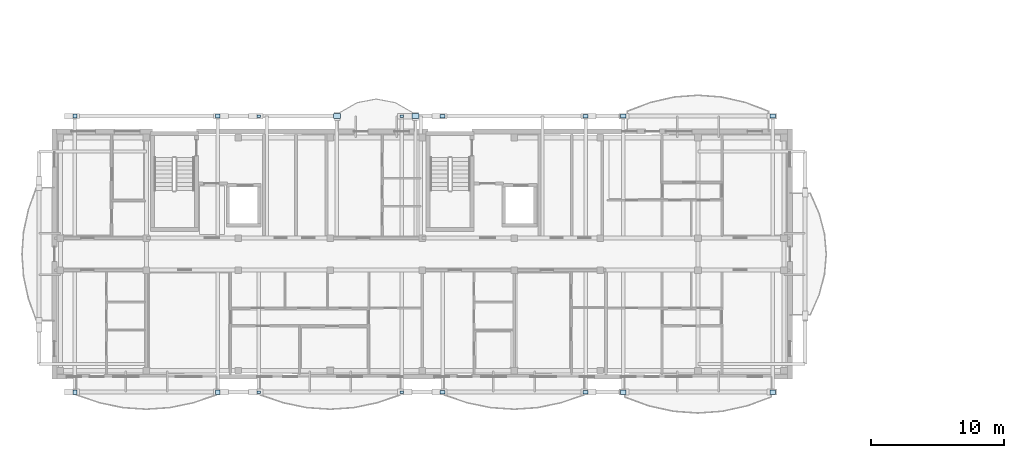
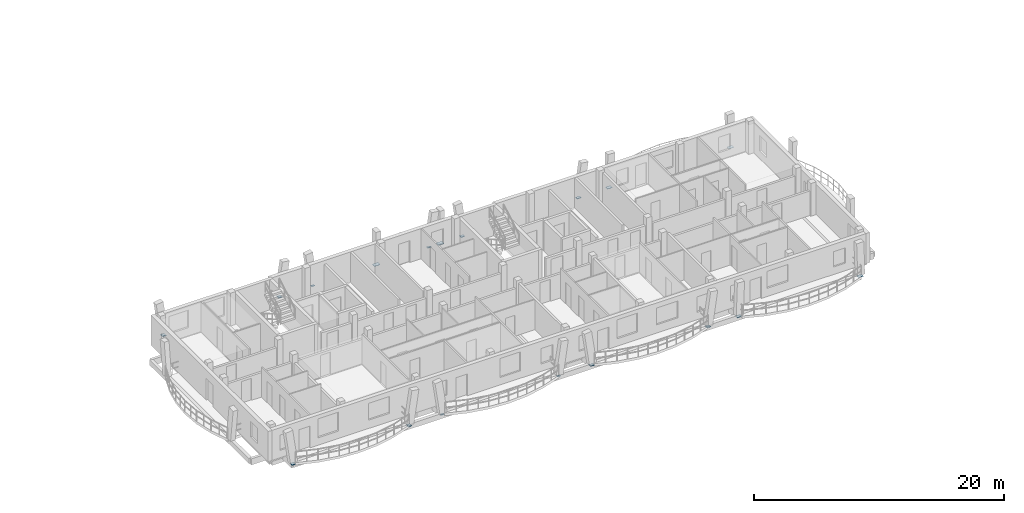
# One storey, part 11 of 52: 18 plates.
"""IFC4 building model written with IfcOpenShell, lengths in metres."""

from ifc_helpers import new_model, si_unit, direction, frame, origin, origin_2d, place, context, subcontext, project, spatial, rectangle, extrude, material, layer, layer_set, type_object, element, save


model = new_model("IFC4")

# Units and contexts
model_context = context("Model", 3, precision=1e-05, world=origin(), true_north=direction((0.0, 1.0)))
body_context = subcontext(model_context, "Body", "Model", "MODEL_VIEW")
ifc_project = project(units=[si_unit("LENGTHUNIT", "METRE"), si_unit("AREAUNIT", "SQUARE_METRE"), si_unit("VOLUMEUNIT", "CUBIC_METRE"), si_unit("PLANEANGLEUNIT", "RADIAN"), si_unit("MASSUNIT", "GRAM", prefix="KILO")], contexts=[model_context])

# Site, building, storey
site_placement = place(None, origin())
site = spatial("IfcSite", under=ifc_project, at=site_placement, CompositionType="ELEMENT")
building_placement = place(site_placement, origin())
building = spatial("IfcBuilding", under=site, at=building_placement, Name="Zavelmont Quarter", CompositionType="ELEMENT")
storey_placement = place(building_placement, frame((0.0, 0.0, 14.39990234375)))
storey = spatial("IfcBuildingStorey", under=building, at=storey_placement, Name="L04", CompositionType="ELEMENT", Elevation=14.39990234375)

# Plates
ifc_material = material(Name="Steel S355", Category="steel")
ifc_layer_1 = layer(ifc_material, 0.02001953125)
ifc_layer_set_1 = layer_set([ifc_layer_1], Name="Steel S355")
plate_type_1 = type_object("IfcPlateType", Name="NP01", PredefinedType="SHEET", material=ifc_layer_set_1)
for number, where, z_axis, x_axis, name in (
    (1, (15.334716796875, -1.162109375, -0.2099609375), (0.0, 0.0, 1.0), (1.0, 0.0, 0.0), "L04 steel connection plate NP01 at 3/A"),
    (2, (26.065185546875, -1.162109375, -0.2099609375), (0.0, 0.0, 1.0), (1.0, 0.0, 0.0), "L04 steel connection plate NP01 at 5/A"),
    (3, (15.334716796875, 19.56201171875, -0.2099609375), (0.0, 0.0, 1.0), (1.0, 0.0, 0.0), "L04 steel connection plate NP01 at 3/D"),
    (4, (26.065185546875, 19.56201171875, -0.2099609375), (0.0, 0.0, 1.0), (1.0, 0.0, 0.0), "L04 steel connection plate NP01 at 5/D"),
):
    element("IfcPlate", number, at=place(storey_placement, frame(where, z_axis=z_axis, x_axis=x_axis)), inside=storey, type_object=plate_type_1, Name=name, PredefinedType="SHEET", context=body_context, shape_type="SweptSolid", body=[
        extrude(rectangle(XDim=0.280029296875, YDim=0.179931640625, at=origin_2d()), origin(), (0.0, 0.0, 1.0), 0.02001953125),
    ])
ifc_layer_2 = layer(ifc_material, 0.02392578125)
ifc_layer_set_2 = layer_set([ifc_layer_2], Name="Steel S355")
plate_type_2 = type_object("IfcPlateType", Name="NP02", PredefinedType="SHEET", material=ifc_layer_set_2)
for number, where, z_axis, x_axis, name in (
    (5, (29.134765625, -1.162109375, -0.2119140625), (0.0, 0.0, 1.0), (1.0, 0.0, 0.0), "L04 steel connection plate NP02 at 5/A"),
    (6, (39.865234375, -1.162109375, -0.2119140625), (0.0, 0.0, 1.0), (1.0, 0.0, 0.0), "L04 steel connection plate NP02 at 7/A"),
    (7, (29.134765625, 19.56201171875, -0.2119140625), (0.0, 0.0, 1.0), (1.0, 0.0, 0.0), "L04 steel connection plate NP02 at 5/D"),
    (8, (39.865234375, 19.56201171875, -0.2119140625), (0.0, 0.0, 1.0), (1.0, 0.0, 0.0), "L04 steel connection plate NP02 at 7/D"),
):
    element("IfcPlate", number, at=place(storey_placement, frame(where, z_axis=z_axis, x_axis=x_axis)), inside=storey, type_object=plate_type_2, Name=name, PredefinedType="SHEET", context=body_context, shape_type="SweptSolid", body=[
        extrude(rectangle(XDim=0.360107421875, YDim=0.260009765625, at=origin_2d()), origin(), (0.0, 0.0, 1.0), 0.02392578125),
    ])
ifc_layer_3 = layer(ifc_material, 0.02490234375)
ifc_layer_set_3 = layer_set([ifc_layer_3], Name="Steel S355")
plate_type_3 = type_object("IfcPlateType", Name="NP03", PredefinedType="SHEET", material=ifc_layer_set_3)
for number, where, z_axis, x_axis, name in (
    (9, (42.69091796875, -1.162109375, -0.21240234375), (0.0, 0.0, 1.0), (1.0, 0.0, 0.0), "L04 steel connection plate NP03 at 7/A"),
    (10, (53.908935546875, -1.162109375, -0.21240234375), (0.0, 0.0, 1.0), (1.0, 0.0, 0.0), "L04 steel connection plate NP03 at 9/A"),
    (11, (42.69091796875, 19.56201171875, -0.21240234375), (0.0, 0.0, 1.0), (1.0, 0.0, 0.0), "L04 steel connection plate NP03 at 7/D"),
    (12, (53.908935546875, 19.56201171875, -0.21240234375), (0.0, 0.0, 1.0), (1.0, 0.0, 0.0), "L04 steel connection plate NP03 at 9/D"),
):
    element("IfcPlate", number, at=place(storey_placement, frame(where, z_axis=z_axis, x_axis=x_axis)), inside=storey, type_object=plate_type_3, Name=name, PredefinedType="SHEET", context=body_context, shape_type="SweptSolid", body=[
        extrude(rectangle(XDim=0.43994140625, YDim=0.320068359375, at=origin_2d()), origin(), (0.0, 0.0, 1.0), 0.02490234375),
    ])
ifc_layer_4 = layer(ifc_material, 0.028076171875)
ifc_layer_set_4 = layer_set([ifc_layer_4], Name="Steel S355")
plate_type_4 = type_object("IfcPlateType", Name="NP04", PredefinedType="SHEET", material=ifc_layer_set_4)
for number, where, z_axis, x_axis, name in (
    (13, (21.199951171875, 19.56201171875, -0.2138671875), (0.0, 0.0, 1.0), (1.0, 0.0, 0.0), "L04 steel connection plate NP04 at 4/D"),
    (14, (27.10009765625, 19.56201171875, -0.2138671875), (0.0, 0.0, 1.0), (1.0, 0.0, 0.0), "L04 steel connection plate NP04 at 5/D"),
):
    element("IfcPlate", number, at=place(storey_placement, frame(where, z_axis=z_axis, x_axis=x_axis)), inside=storey, type_object=plate_type_4, Name=name, PredefinedType="SHEET", context=body_context, shape_type="SweptSolid", body=[
        extrude(rectangle(XDim=0.52001953125, YDim=0.360107421875, at=origin_2d()), origin(), (0.0, 0.0, 1.0), 0.028076171875),
    ])
ifc_layer_5 = layer(ifc_material, 0.02197265625)
ifc_layer_set_5 = layer_set([ifc_layer_5], Name="Steel S355")
plate_type_5 = type_object("IfcPlateType", Name="NP06", PredefinedType="SHEET", material=ifc_layer_set_5)
for number, where, z_axis, x_axis, name in (
    (15, (1.534912109375, -1.162109375, -0.2109375), (0.0, 0.0, 1.0), (1.0, 0.0, 0.0), "L04 steel connection plate NP06 at 1/A"),
    (16, (12.26513671875, -1.162109375, -0.2109375), (0.0, 0.0, 1.0), (1.0, 0.0, 0.0), "L04 steel connection plate NP06 at 3/A"),
    (17, (1.534912109375, 19.56201171875, -0.2109375), (0.0, 0.0, 1.0), (1.0, 0.0, 0.0), "L04 steel connection plate NP06 at 1/D"),
    (18, (12.26513671875, 19.56201171875, -0.2109375), (0.0, 0.0, 1.0), (1.0, 0.0, 0.0), "L04 steel connection plate NP06 at 3/D"),
):
    element("IfcPlate", number, at=place(storey_placement, frame(where, z_axis=z_axis, x_axis=x_axis)), inside=storey, type_object=plate_type_5, Name=name, PredefinedType="SHEET", context=body_context, shape_type="SweptSolid", body=[
        extrude(rectangle(XDim=0.320068359375, YDim=0.320068359375, at=origin_2d()), origin(), (0.0, 0.0, 1.0), 0.02197265625),
    ])

save(model, "model.ifc")
